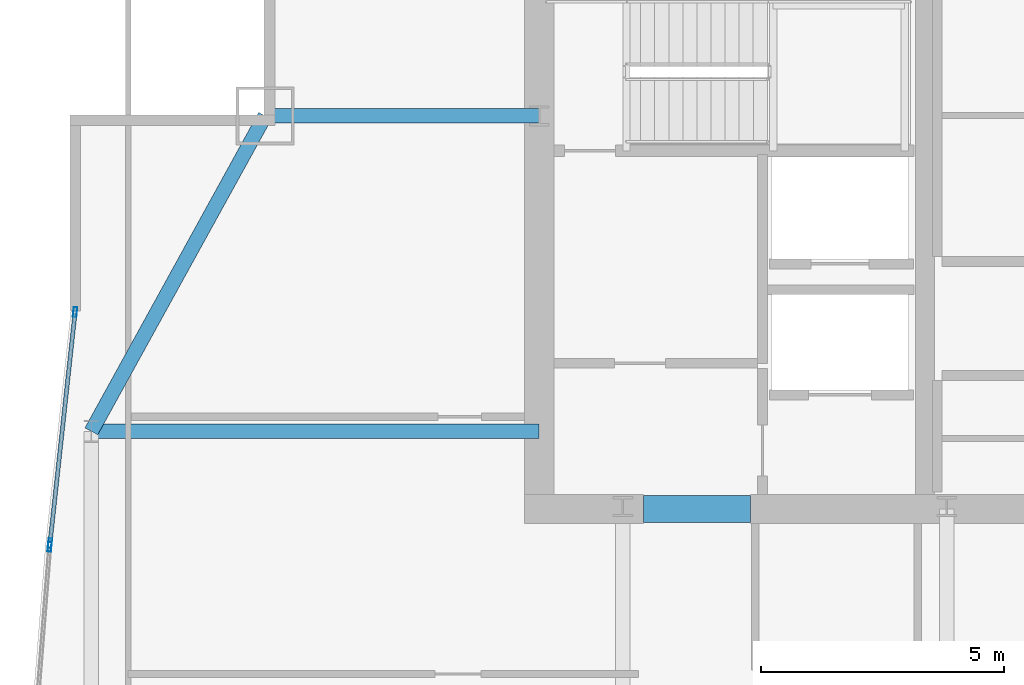
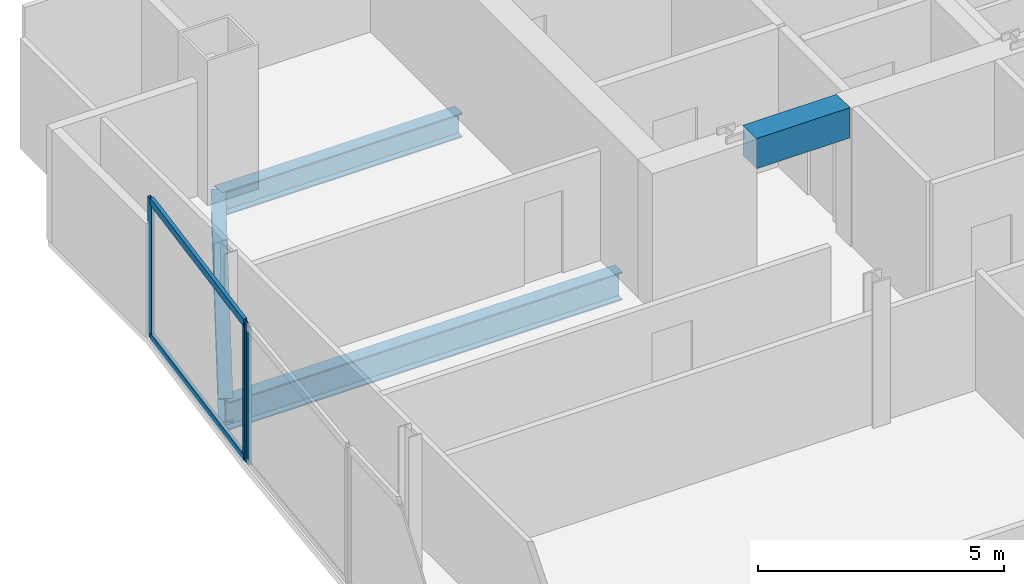
# One storey, part 22 of 32: 5 members, 4 beams, 2 elements without a shape of their own.
"""IFC4 building model written with IfcOpenShell, lengths in metres."""

from ifc_helpers import new_model, si_unit, direction, frame, origin, origin_2d, place, context, subcontext, project, spatial, rectangle, hollow_rectangle, i_section, extrude, material, material_profile, profile_set, type_object, element, aggregate, save


model = new_model("IFC4")

# Units and contexts
model_context = context("Model", 3, precision=1e-05, world=origin(), true_north=direction((0.0, 1.0)))
body_context = subcontext(model_context, "Body", "Model", "MODEL_VIEW")
ifc_project = project(units=[si_unit("LENGTHUNIT", "METRE"), si_unit("AREAUNIT", "SQUARE_METRE"), si_unit("VOLUMEUNIT", "CUBIC_METRE"), si_unit("PLANEANGLEUNIT", "RADIAN"), si_unit("MASSUNIT", "GRAM", prefix="KILO")], contexts=[model_context])

# Site, building, storey
site_placement = place(None, origin())
site = spatial("IfcSite", under=ifc_project, at=site_placement, CompositionType="ELEMENT")
building_placement = place(site_placement, origin())
building = spatial("IfcBuilding", under=site, at=building_placement, Name="Khoronbel Lancet Exchange", CompositionType="ELEMENT")
storey_placement = place(building_placement, frame((0.0, 0.0, 195.800048828125)))
storey = spatial("IfcBuildingStorey", under=building, at=storey_placement, Name="L49", CompositionType="ELEMENT", Elevation=195.800048828125)

# Beams
ifc_material_1 = material(Name="Steel S355", Category="steel")
ifc_material_profile_1 = material_profile(ifc_material_1, i_section(OverallWidth=0.300048828125, OverallDepth=0.699951171875, WebThickness=0.01708984375, FlangeThickness=0.031982421875, at=origin_2d()), Name="HEB 700")
ifc_profile_set_1 = profile_set([ifc_material_profile_1], Name="Steel S355")
beam_type_1 = type_object("IfcBeamType", Name="BM-BG3", PredefinedType="BEAM", material=ifc_profile_set_1)
beam_1_placement = place(storey_placement, frame((7.27001953125, 43.199951171875, -0.510009765625), z_axis=(1.0, 0.0, 0.0), x_axis=(0.0, 1.0, 0.0)))
element("IfcBeam", 1, at=beam_1_placement, inside=storey, type_object=beam_type_1, Name="Level L49 west lens tie girder LG3W", PredefinedType="BEAM", context=body_context, shape_type="SweptSolid", body=[
    extrude(i_section(OverallWidth=0.300048828125, OverallDepth=0.699951171875, WebThickness=0.01708984375, FlangeThickness=0.031982421875, at=origin_2d()), origin(), (0.0, 0.0, 1.0), 9.22998046875),
])
ifc_material_2 = material(Name="Concrete C60/75", Category="concrete")
ifc_material_profile_2 = material_profile(ifc_material_2, rectangle(XDim=0.550048828125, YDim=0.75, at=origin_2d()), Name="RC 550x750")
ifc_profile_set_2 = profile_set([ifc_material_profile_2], Name="Concrete C60/75")
beam_type_2 = type_object("IfcBeamType", Name="BM-BL2", PredefinedType="LINTEL", material=ifc_profile_set_2)
beam_2_placement = place(storey_placement, frame((18.64990234375, 41.60009765625, 3.06494140625), z_axis=(1.0, 0.0, 0.0), x_axis=(0.0, 1.0, 0.0)))
element("IfcBeam", 2, at=beam_2_placement, inside=storey, type_object=beam_type_2, Name="Level L49 rear core coupling lintel L1", PredefinedType="LINTEL", context=body_context, shape_type="SweptSolid", body=[
    extrude(rectangle(XDim=0.550048828125, YDim=0.75, at=origin_2d()), origin(), (0.0, 0.0, 1.0), 2.2001953125),
])
ifc_material_profile_3 = material_profile(ifc_material_1, i_section(OverallWidth=0.300048828125, OverallDepth=0.60009765625, WebThickness=0.015380859375, FlangeThickness=0.030029296875, at=origin_2d()), Name="HEB 600")
ifc_profile_set_3 = profile_set([ifc_material_profile_3], Name="Steel S355")
beam_type_3 = type_object("IfcBeamType", Name="BM-BSP2", PredefinedType="SPANDREL", material=ifc_profile_set_3)
beam_3_placement = place(storey_placement, frame((10.85009765625, 49.699951171875, -0.4599609375), z_axis=(-0.482444051088, -0.875926787791, 0.0), x_axis=(0.875926787791, -0.482444051088, 0.0)))
element("IfcBeam", 3, at=beam_3_placement, inside=storey, type_object=beam_type_3, Name="Level L49 perimeter spandrel beam SP16", PredefinedType="SPANDREL", context=body_context, shape_type="SweptSolid", body=[
    extrude(i_section(OverallWidth=0.300048828125, OverallDepth=0.60009765625, WebThickness=0.015380859375, FlangeThickness=0.030029296875, at=origin_2d()), origin(), (0.0, 0.0, 1.0), 7.420654296875),
])
beam_4_placement = place(storey_placement, frame((10.85009765625, 49.699951171875, -0.4599609375), z_axis=(1.0, 0.0, 0.0), x_axis=(0.0, 1.0, 0.0)))
element("IfcBeam", 4, at=beam_4_placement, inside=storey, type_object=beam_type_3, Name="Level L49 north flank tie spandrel SP22", PredefinedType="SPANDREL", context=body_context, shape_type="SweptSolid", body=[
    extrude(i_section(OverallWidth=0.300048828125, OverallDepth=0.60009765625, WebThickness=0.015380859375, FlangeThickness=0.030029296875, at=origin_2d()), origin(), (0.0, 0.0, 1.0), 5.64990234375),
])

# Curtain wall, member
ifc_material_3 = material(Name="Low-E Solar Control Insulating Glass", Category="glass")
curtain_wall_type = type_object("IfcCurtainWallType", Name="CW-4", PredefinedType="NOTDEFINED", material=ifc_material_3)
curtain_wall_1_placement = place(storey_placement, origin())
curtain_wall_1 = element("IfcCurtainWall", 5, at=curtain_wall_1_placement, inside=storey, type_object=curtain_wall_type, Name="Unitised curtain wall CW-L49-E08", PredefinedType="NOTDEFINED")
ifc_material_4 = material(Name="Bronze-Anodised Aluminium 6063-T6", Category="aluminium")
ifc_material_profile_4 = material_profile(ifc_material_4, hollow_rectangle(XDim=0.074951171875, YDim=0.199951171875, WallThickness=0.0048828125, at=origin_2d()), Name="ALU MULLION 75x200")
ifc_profile_set_4 = profile_set([ifc_material_profile_4], Name="Bronze-Anodised Aluminium 6063-T6")
member_type_1 = type_object("IfcMemberType", Name="MEM-CWM2", PredefinedType="MULLION", material=ifc_profile_set_4)
member_1_placement = place(storey_placement, frame((6.41162109375, 40.82080078125, 0.0), z_axis=(0.0, 0.0, 1.0), x_axis=(-0.996854401909, 0.079254661653, 0.0)))
member_1 = element("IfcMember", 6, at=member_1_placement, type_object=member_type_1, Name="CW4 mullion 2", PredefinedType="MULLION", context=body_context, shape_type="SweptSolid", body=[
    extrude(hollow_rectangle(XDim=0.074951171875, YDim=0.199951171875, WallThickness=0.0048828125, at=origin_2d()), origin(), (0.0, 0.0, 1.0), 3.43994140625),
])
aggregate(curtain_wall_1, [member_1])

# Curtain wall, members
curtain_wall_2_placement = place(storey_placement, origin())
curtain_wall_2 = element("IfcCurtainWall", 7, at=curtain_wall_2_placement, inside=storey, type_object=curtain_wall_type, Name="Unitised curtain wall CW-L49-E09", PredefinedType="NOTDEFINED")
member_2_placement = place(storey_placement, frame((6.418701171875, 40.8955078125, 0.0), z_axis=(0.0, 0.0, 1.0), x_axis=(-0.994151948799, 0.107990289834, 0.0)))
member_2 = element("IfcMember", 8, at=member_2_placement, type_object=member_type_1, Name="CW4 mullion 1", PredefinedType="MULLION", context=body_context, shape_type="SweptSolid", body=[
    extrude(hollow_rectangle(XDim=0.074951171875, YDim=0.199951171875, WallThickness=0.0048828125, at=origin_2d()), origin(), (0.0, 0.0, 1.0), 3.43994140625),
])
member_3_placement = place(storey_placement, frame((6.93603515625, 45.65771484375, 0.0), z_axis=(0.0, 0.0, 1.0), x_axis=(-0.994151948799, 0.107990289834, 0.0)))
member_3 = element("IfcMember", 9, at=member_3_placement, type_object=member_type_1, Name="CW4 mullion 2", PredefinedType="MULLION", context=body_context, shape_type="SweptSolid", body=[
    extrude(hollow_rectangle(XDim=0.074951171875, YDim=0.199951171875, WallThickness=0.0048828125, at=origin_2d()), origin(), (0.0, 0.0, 1.0), 3.43994140625),
])
ifc_material_profile_5 = material_profile(ifc_material_4, hollow_rectangle(XDim=0.0849609375, YDim=0.179931640625, WallThickness=0.0048828125, at=origin_2d()), Name="ALU TRANSOM 85x180")
ifc_profile_set_5 = profile_set([ifc_material_profile_5], Name="Bronze-Anodised Aluminium 6063-T6")
member_type_2 = type_object("IfcMemberType", Name="MEM-CWT1", PredefinedType="USERDEFINED", material=ifc_profile_set_5)
member_4_placement = place(storey_placement, frame((6.422607421875, 40.932861328125, 0.04248046875), z_axis=(0.108004671949, 0.994150386429, 0.0), x_axis=(-0.994150386429, 0.108004671949, 0.0)))
member_4 = element("IfcMember", 10, at=member_4_placement, type_object=member_type_2, Name="CW4 transom 1.1", ObjectType="TRANSOM", PredefinedType="USERDEFINED", context=body_context, shape_type="SweptSolid", body=[
    extrude(hollow_rectangle(XDim=0.0849609375, YDim=0.179931640625, WallThickness=0.0048828125, at=origin_2d()), origin(), (0.0, 0.0, 1.0), 4.71533203125),
])
member_5_placement = place(storey_placement, frame((6.422607421875, 40.932861328125, 3.3974609375), z_axis=(0.108004671949, 0.994150386429, 0.0), x_axis=(-0.994150386429, 0.108004671949, 0.0)))
member_5 = element("IfcMember", 11, at=member_5_placement, type_object=member_type_2, Name="CW4 transom 1.2", ObjectType="TRANSOM", PredefinedType="USERDEFINED", context=body_context, shape_type="SweptSolid", body=[
    extrude(hollow_rectangle(XDim=0.0849609375, YDim=0.179931640625, WallThickness=0.0048828125, at=origin_2d()), origin(), (0.0, 0.0, 1.0), 4.71533203125),
])
aggregate(curtain_wall_2, [member_2, member_3, member_4, member_5])

save(model, "model.ifc")
